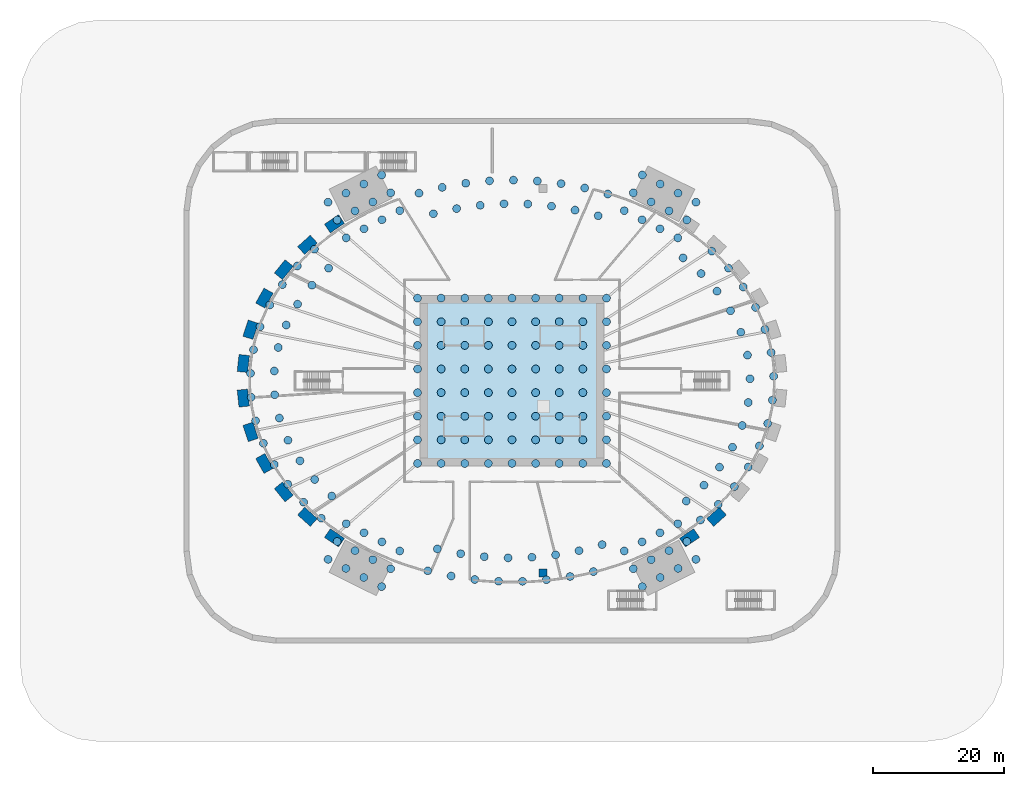
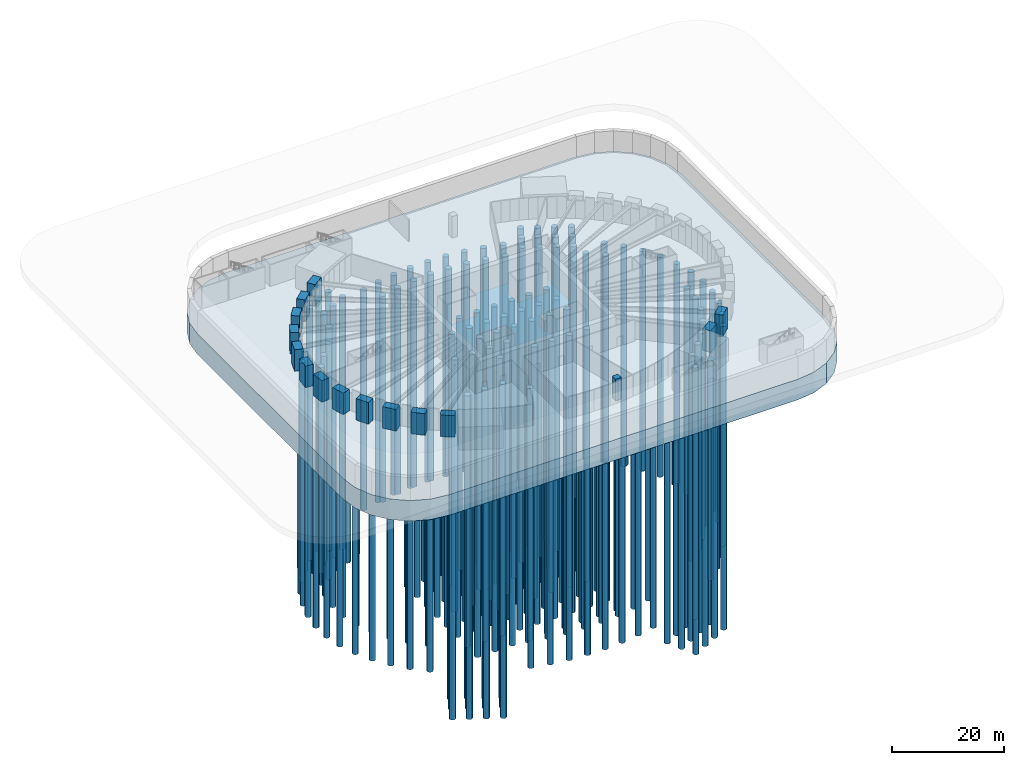
# One storey, part 1 of 14: 206 piles, 15 columns, 1 footing.
"""IFC4 building model written with IfcOpenShell, lengths in metres."""

import ifcopenshell
import ifcopenshell.guid

model = None  # the IFC model being written
_history = None  # IfcOwnerHistory: only IFC2X3 demands one
_inside = {}  # id of a spatial element -> (the spatial element, [elements in it])
_under = {}  # id of a project, library or spatial element -> (it, [spatial elements below it])
_declared = {}  # id of a project -> (the project, [libraries it declares])
_typed = {}  # id of a type object -> (the type object, [elements of that type])
_made_of = {}  # id of a material, layer set ... -> (it, [elements and type objects made of it])


def new_model(schema):
    """Start an empty IFC model of exactly this schema.

    Asked for "IFC4X3", IfcOpenShell would pick the latest addendum, in which some entities
    have other attributes; the version numbers below select the first issue.
    IFC2X3 requires an IfcOwnerHistory on every rooted entity: one is made here for all.
    """
    global model, _history
    if schema == "IFC4X3":
        model = ifcopenshell.file(schema_version=(4, 3, 0, 0))
    else:
        model = ifcopenshell.file(schema=schema)
    _inside.clear()
    _under.clear()
    _declared.clear()
    _typed.clear()
    _made_of.clear()
    _history = None
    if model.schema == "IFC2X3":
        org = make("IfcOrganization", Name="unknown")
        user = make(
            "IfcPersonAndOrganization",
            ThePerson=make("IfcPerson", FamilyName="unknown"),
            TheOrganization=org,
        )
        app = make(
            "IfcApplication",
            ApplicationDeveloper=org,
            Version="unknown",
            ApplicationFullName="unknown",
            ApplicationIdentifier="unknown",
        )
        _history = make(
            "IfcOwnerHistory",
            OwningUser=user,
            OwningApplication=app,
            ChangeAction="ADDED",
            CreationDate=0,
        )
    return model


def make(cls, **values):
    """One entity of the class cls with the attributes given. An attribute that is None is left unset."""
    return model.create_entity(
        cls, **{name: value for name, value in values.items() if value is not None}
    )


def rooted(cls, **values):
    """An entity with a GlobalId (a new one), such as an element, a storey or a relation."""
    return make(cls, GlobalId=ifcopenshell.guid.new(), OwnerHistory=_history, **values)


def si_unit(unit_type, name, prefix=None):
    """IfcSIUnit, for example si_unit("LENGTHUNIT", "METRE", prefix="MILLI")."""
    return make("IfcSIUnit", UnitType=unit_type, Prefix=prefix, Name=name)


def assignment(units):
    """IfcUnitAssignment: the units of a project."""
    return None if units is None else make("IfcUnitAssignment", Units=units)


def point(xyz):
    """IfcCartesianPoint."""
    return None if xyz is None else make("IfcCartesianPoint", Coordinates=xyz)


def direction(xyz):
    """IfcDirection."""
    return None if xyz is None else make("IfcDirection", DirectionRatios=xyz)


def frame(location, z_axis=None, x_axis=None):
    """IfcAxis2Placement3D, a coordinate frame: its origin and axes. An axis left out is left unset."""
    return make(
        "IfcAxis2Placement3D",
        Location=point(location),
        Axis=direction(z_axis),
        RefDirection=direction(x_axis),
    )


def frame_2d(location, x_axis=None):
    """IfcAxis2Placement2D, a coordinate frame in the plane: its origin and x axis."""
    return make(
        "IfcAxis2Placement2D", Location=point(location), RefDirection=direction(x_axis)
    )


def origin():
    """The frame at (0, 0, 0) with its axes left unset."""
    return frame((0.0, 0.0, 0.0))


def origin_2d():
    """The frame at (0, 0) in the plane with its x axis left unset."""
    return frame_2d((0.0, 0.0))


def place(relative_to, where):
    """IfcLocalPlacement: puts the frame where relative to a parent placement (None: the world)."""
    return make(
        "IfcLocalPlacement", PlacementRelTo=relative_to, RelativePlacement=where
    )


def context(
    kind, dimensions, precision=None, world=None, true_north=None, identifier=None
):
    """IfcGeometricRepresentationContext, for example the 3D "Model" context."""
    return make(
        "IfcGeometricRepresentationContext",
        ContextIdentifier=identifier,
        ContextType=kind,
        CoordinateSpaceDimension=dimensions,
        Precision=precision,
        WorldCoordinateSystem=world,
        TrueNorth=true_north,
    )


def subcontext(parent, identifier, kind, view, scale=None):
    """IfcGeometricRepresentationSubContext, for example "Body" below "Model"."""
    return make(
        "IfcGeometricRepresentationSubContext",
        ContextIdentifier=identifier,
        ContextType=kind,
        ParentContext=parent,
        TargetScale=scale,
        TargetView=view,
    )


def project(units=None, contexts=None):
    """IfcProject with its units and contexts."""
    return rooted(
        "IfcProject",
        Name="project",
        RepresentationContexts=contexts,
        UnitsInContext=assignment(units),
    )


def spatial(cls, under=None, at=None, **own):
    """A site, building, storey or space (cls), placed at a placement, below another one or the project."""
    s = rooted(cls, ObjectPlacement=at, **own)
    if under is not None:
        _under.setdefault(under.id(), (under, []))[1].append(s)
    return s


def polyline(points):
    """IfcPolyline through the points."""
    return make("IfcPolyline", Points=[point(p) for p in points])


def profile(cls, at=None, kind="AREA", **sizes):
    """A parametric profile (cls). Its sizes go by their IFC names, for example OverallWidth=200.0."""
    return make(cls, ProfileType=kind, Position=at, **sizes)


def rectangle(**sizes):
    """IfcRectangleProfileDef."""
    return profile("IfcRectangleProfileDef", **sizes)


def circle(**sizes):
    """IfcCircleProfileDef."""
    return profile("IfcCircleProfileDef", **sizes)


def outline(outer, holes=None, kind="AREA"):
    """IfcArbitraryClosedProfileDef: a profile drawn as a closed curve; with holes, ...WithVoids."""
    if holes is None:
        return make("IfcArbitraryClosedProfileDef", ProfileType=kind, OuterCurve=outer)
    return make(
        "IfcArbitraryProfileDefWithVoids",
        ProfileType=kind,
        OuterCurve=outer,
        InnerCurves=holes,
    )


def extrude(swept, where, along, depth):
    """IfcExtrudedAreaSolid: the profile swept, set in the frame where, extruded along a direction by depth."""
    return make(
        "IfcExtrudedAreaSolid",
        SweptArea=swept,
        Position=where,
        ExtrudedDirection=direction(along),
        Depth=depth,
    )


def shape(context_of_items, identifier, shape_type, items):
    """IfcShapeRepresentation: the items that make up one representation, for example the "Body"."""
    return make(
        "IfcShapeRepresentation",
        ContextOfItems=context_of_items,
        RepresentationIdentifier=identifier,
        RepresentationType=shape_type,
        Items=items,
    )


def source(mapping_origin, context_of_items, identifier, shape_type, items):
    """IfcRepresentationMap: a shape defined once, which mapped items show again and again."""
    return make(
        "IfcRepresentationMap",
        MappingOrigin=mapping_origin,
        MappedRepresentation=shape(context_of_items, identifier, shape_type, items),
    )


def transform(
    local_origin,
    x_axis=None,
    y_axis=None,
    z_axis=None,
    scale=None,
    scale2=None,
    scale3=None,
    uniform=True,
):
    """IfcCartesianTransformationOperator3D, or its non-uniform kind. x_axis, y_axis, z_axis: its Axis1, 2, 3."""
    if uniform:
        return make(
            "IfcCartesianTransformationOperator3D",
            Axis1=direction(x_axis),
            Axis2=direction(y_axis),
            LocalOrigin=point(local_origin),
            Scale=scale,
            Axis3=direction(z_axis),
        )
    return make(
        "IfcCartesianTransformationOperator3DnonUniform",
        Axis1=direction(x_axis),
        Axis2=direction(y_axis),
        LocalOrigin=point(local_origin),
        Scale=scale,
        Axis3=direction(z_axis),
        Scale2=scale2,
        Scale3=scale3,
    )


def mapped(mapping_source, mapping_target):
    """IfcMappedItem: shows the shape of a source again, moved by a transform."""
    return make(
        "IfcMappedItem", MappingSource=mapping_source, MappingTarget=mapping_target
    )


def material(Name=None, Category=None):
    """IfcMaterial."""
    return make("IfcMaterial", Name=Name, Category=Category)


def layer(
    of_material, thickness, ventilated=None, Name=None, Category=None, Priority=None
):
    """IfcMaterialLayer: one layer of a wall or slab, of a material (None: an air gap)."""
    return make(
        "IfcMaterialLayer",
        Material=of_material,
        LayerThickness=thickness,
        IsVentilated=ventilated,
        Name=Name,
        Category=Category,
        Priority=Priority,
    )


def layer_set(layers, Name=None):
    """IfcMaterialLayerSet."""
    return make("IfcMaterialLayerSet", MaterialLayers=layers, LayerSetName=Name)


def material_profile(
    of_material, cross_section, Name=None, Category=None, Priority=None
):
    """IfcMaterialProfile: a cross section and its material."""
    return make(
        "IfcMaterialProfile",
        Name=Name,
        Material=of_material,
        Profile=cross_section,
        Priority=Priority,
        Category=Category,
    )


def profile_set(profiles, Name=None, composite=None):
    """IfcMaterialProfileSet."""
    return make(
        "IfcMaterialProfileSet",
        Name=Name,
        MaterialProfiles=profiles,
        CompositeProfile=composite,
    )


def made_of(thing, what):
    """Note that an element or type object is made of a material, layer set ...; save() writes the relation."""
    if what is not None:
        _made_of.setdefault(what.id(), (what, []))[1].append(thing)
    return thing


def type_object(cls, material=None, **own):
    """A type object (cls), such as IfcWallType, which elements share."""
    return made_of(rooted(cls, **own), material)


def element(
    cls,
    number,
    at=None,
    inside=None,
    cuts=None,
    type_object=None,
    material=None,
    context=None,
    identifier="Body",
    shape_type=None,
    held_by="IfcProductDefinitionShape",
    body=None,
    shapes=None,
    **own,
):
    """One element of the class cls, such as IfcWall. Its Tag is "e" and its number.

    at: its placement. inside: the storey or other place that contains it. cuts: it is an
    opening in that element (IfcRelVoidsElement). A single representation is given by context,
    identifier, shape_type and body (its items); several are given by shapes. held_by: the class
    of the entity that holds the representations. save() writes the other relations.
    """
    e = rooted(cls, Tag="e%d" % number, ObjectPlacement=at, **own)
    if body is not None:
        shapes = [shape(context, identifier, shape_type, body)]
    if shapes is not None:
        e.Representation = make(held_by, Representations=shapes)
    if inside is not None:
        _inside.setdefault(inside.id(), (inside, []))[1].append(e)
    if cuts is not None:
        rooted(
            "IfcRelVoidsElement", RelatingBuildingElement=cuts, RelatedOpeningElement=e
        )
    if type_object is not None:
        _typed.setdefault(type_object.id(), (type_object, []))[1].append(e)
    return made_of(e, material)


def aggregate(whole, parts):
    """IfcRelAggregates: a whole, such as a stair, and the parts it consists of."""
    return rooted("IfcRelAggregates", RelatingObject=whole, RelatedObjects=parts)


def save(model, path):
    """Write the relations noted so far, then the file.

    IfcRelAggregates (storeys below a building ...), IfcRelContainedInSpatialStructure (elements
    in a storey), IfcRelDefinesByType, IfcRelAssociatesMaterial and IfcRelDeclares: one each for
    every whole, place, type object, material and project.
    """
    for whole, parts in _under.values():
        aggregate(whole, parts)
    for where, things in _inside.values():
        rooted(
            "IfcRelContainedInSpatialStructure",
            RelatedElements=things,
            RelatingStructure=where,
        )
    for kind, things in _typed.values():
        rooted("IfcRelDefinesByType", RelatedObjects=things, RelatingType=kind)
    for what, things in _made_of.values():
        rooted("IfcRelAssociatesMaterial", RelatedObjects=things, RelatingMaterial=what)
    for by, libraries in _declared.values():
        rooted("IfcRelDeclares", RelatingContext=by, RelatedDefinitions=libraries)
    model.write(path)


model = new_model("IFC4")

# Units and contexts
model_context = context("Model", 3, precision=1e-05, world=origin(), true_north=direction((0.0, 1.0)))
body_context = subcontext(model_context, "Body", "Model", "MODEL_VIEW")
ifc_project = project(units=[si_unit("LENGTHUNIT", "METRE"), si_unit("AREAUNIT", "SQUARE_METRE"), si_unit("VOLUMEUNIT", "CUBIC_METRE"), si_unit("PLANEANGLEUNIT", "RADIAN"), si_unit("MASSUNIT", "GRAM", prefix="KILO")], contexts=[model_context])

# Site, building, storey
site_placement = place(None, origin())
site = spatial("IfcSite", under=ifc_project, at=site_placement, CompositionType="ELEMENT")
building_placement = place(site_placement, origin())
building = spatial("IfcBuilding", under=site, at=building_placement, Name="Embergate Tower", CompositionType="ELEMENT")
storey_placement = place(building_placement, frame((0.0, 0.0, -10.0)))
storey = spatial("IfcBuildingStorey", under=building, at=storey_placement, Name="B2", CompositionType="ELEMENT", Elevation=-10.0)

# Footing
ifc_material_1 = material(Name="Concrete C50P10", Category="concrete")
ifc_layer = layer(ifc_material_1, 4.5)
ifc_layer_set = layer_set([ifc_layer], Name="Concrete C50 P10")
footing_type = type_object("IfcFootingType", Name="Raft foundation C50P10", PredefinedType="PAD_FOOTING", material=ifc_layer_set)
shared_shape_1 = source(origin(), body_context, "Body", "SweptSolid", [
    extrude(outline(polyline([(0.0, 0.0), (72.0, 0.0), (75.623046875, 0.47705078125), (79.0, 1.8759765625), (81.89892578125, 4.10107421875), (84.1240234375, 7.0), (85.52294921875, 10.376953125), (86.0, 14.0), (86.0, 66.0), (85.52294921875, 69.623046875), (84.1240234375, 73.0), (81.89892578125, 75.89892578125), (79.0, 78.1240234375), (75.623046875, 79.52294921875), (72.0, 80.0), (0.0, 80.0), (-3.623046875, 79.52294921875), (-7.0, 78.1240234375), (-9.89892578125, 75.89892578125), (-12.1240234375, 73.0), (-13.52294921875, 69.623046875), (-14.0, 66.0), (-14.0, 14.0), (-13.52294921875, 10.376953125), (-12.1240234375, 7.0), (-9.89892578125, 4.10107421875), (-7.0, 1.8759765625), (-3.623046875, 0.47705078125), (0.0, 0.0)])), origin(), (0.0, 0.0, 1.0), 4.5),
])
footing_placement = place(storey_placement, frame((-36.0, -40.0, -4.800048828125)))
element("IfcFooting", 1, at=footing_placement, inside=storey, type_object=footing_type, Name="RAFT-B2-00", PredefinedType="PAD_FOOTING", context=body_context, shape_type="MappedRepresentation", body=[
    mapped(shared_shape_1, transform((0.0, 0.0, 0.0))),
])

# Piles
ifc_material_2 = material(Name="Concrete C40", Category="concrete")
ifc_material_profile_1 = material_profile(ifc_material_2, circle(Radius=0.60009765625, at=origin_2d()), Name="D1200")
ifc_profile_set_1 = profile_set([ifc_material_profile_1], Name="Concrete C40")
pile_type = type_object("IfcPileType", Name="Bored pile D1200 post-grouted", PredefinedType="BORED", material=ifc_profile_set_1)
shared_shape_2 = source(origin(), body_context, "Body", "SweptSolid", [
    extrude(circle(Radius=0.60009765625, at=origin_2d()), origin(), (0.0, 0.0, 1.0), 48.0),
])
for number, where, z_axis, x_axis, name in (
    (2, (-39.761962890625, -2.510009765625, -4.699951171875), (0.0, 0.0, -1.0), (1.0, 0.0, 0.0), "PIL-B2-000"),
    (3, (-39.090087890625, -6.089111328125, -4.699951171875), (0.0, 0.0, -1.0), (1.0, 0.0, 0.0), "PIL-B2-001"),
    (4, (-37.89794921875, -9.531005859375, -4.699951171875), (0.0, 0.0, -1.0), (1.0, 0.0, 0.0), "PIL-B2-002"),
    (5, (-36.239013671875, -12.77294921875, -4.699951171875), (0.0, 0.0, -1.0), (1.0, 0.0, 0.0), "PIL-B2-003"),
    (6, (-34.172119140625, -15.77294921875, -4.699951171875), (0.0, 0.0, -1.0), (1.0, 0.0, 0.0), "PIL-B2-004"),
    (7, (-31.762939453125, -18.506103515625, -4.699951171875), (0.0, 0.0, -1.0), (1.0, 0.0, 0.0), "PIL-B2-005"),
    (8, (-29.06494140625, -20.9560546875, -4.699951171875), (0.0, 0.0, -1.0), (1.0, 0.0, 0.0), "PIL-B2-006"),
    (9, (-12.843017578125, -28.965087890625, -4.699951171875), (0.0, 0.0, -1.0), (1.0, 0.0, 0.0), "PIL-B2-007"),
    (10, (-9.284912109375, -29.759033203125, -4.699951171875), (0.0, 0.0, -1.0), (1.0, 0.0, 0.0), "PIL-B2-008"),
    (11, (-5.677978515625, -30.283935546875, -4.699951171875), (0.0, 0.0, -1.0), (1.0, 0.0, 0.0), "PIL-B2-009"),
    (12, (-2.04296875, -30.553955078125, -4.699951171875), (0.0, 0.0, -1.0), (1.0, 0.0, 0.0), "PIL-B2-010"),
    (13, (1.60205078125, -30.568115234375, -4.699951171875), (0.0, 0.0, -1.0), (1.0, 0.0, 0.0), "PIL-B2-011"),
    (14, (5.239013671875, -30.326904296875, -4.699951171875), (0.0, 0.0, -1.0), (1.0, 0.0, 0.0), "PIL-B2-012"),
    (15, (8.85009765625, -29.83203125, -4.699951171875), (0.0, 0.0, -1.0), (1.0, 0.0, 0.0), "PIL-B2-013"),
    (16, (12.416015625, -29.076904296875, -4.699951171875), (0.0, 0.0, -1.0), (1.0, 0.0, 0.0), "PIL-B2-014"),
    (17, (28.717041015625, -21.22802734375, -4.699951171875), (0.0, 0.0, -1.0), (1.0, 0.0, 0.0), "PIL-B2-015"),
    (18, (31.449951171875, -18.81689453125, -4.699951171875), (0.0, 0.0, -1.0), (1.0, 0.0, 0.0), "PIL-B2-016"),
    (19, (33.904052734375, -16.123046875, -4.699951171875), (0.0, 0.0, -1.0), (1.0, 0.0, 0.0), "PIL-B2-017"),
    (20, (36.011962890625, -13.152099609375, -4.699951171875), (0.0, 0.0, -1.0), (1.0, 0.0, 0.0), "PIL-B2-018"),
    (21, (37.720947265625, -9.93505859375, -4.699951171875), (0.0, 0.0, -1.0), (1.0, 0.0, 0.0), "PIL-B2-019"),
    (22, (38.967041015625, -6.512939453125, -4.699951171875), (0.0, 0.0, -1.0), (1.0, 0.0, 0.0), "PIL-B2-020"),
    (23, (39.699951171875, -2.946044921875, -4.699951171875), (0.0, 0.0, -1.0), (1.0, 0.0, 0.0), "PIL-B2-021"),
    (24, (39.882080078125, 0.69091796875, -4.699951171875), (0.0, 0.0, -1.0), (1.0, 0.0, 0.0), "PIL-B2-022"),
    (25, (39.493896484375, 4.31201171875, -4.699951171875), (0.0, 0.0, -1.0), (1.0, 0.0, 0.0), "PIL-B2-023"),
    (26, (38.555908203125, 7.83203125, -4.699951171875), (0.0, 0.0, -1.0), (1.0, 0.0, 0.0), "PIL-B2-024"),
    (27, (37.123046875, 11.179931640625, -4.699951171875), (0.0, 0.0, -1.0), (1.0, 0.0, 0.0), "PIL-B2-025"),
    (28, (35.251953125, 14.304931640625, -4.699951171875), (0.0, 0.0, -1.0), (1.0, 0.0, 0.0), "PIL-B2-026"),
    (29, (33.007080078125, 17.174072265625, -4.699951171875), (0.0, 0.0, -1.0), (1.0, 0.0, 0.0), "PIL-B2-027"),
    (30, (30.447021484375, 19.76708984375, -4.699951171875), (0.0, 0.0, -1.0), (1.0, 0.0, 0.0), "PIL-B2-028"),
    (31, (14.596923828125, 28.470947265625, -4.699951171875), (0.0, 0.0, -1.0), (1.0, 0.0, 0.0), "PIL-B2-029"),
    (32, (11.071044921875, 29.39501953125, -4.699951171875), (0.0, 0.0, -1.0), (1.0, 0.0, 0.0), "PIL-B2-030"),
    (33, (7.486083984375, 30.053955078125, -4.699951171875), (0.0, 0.0, -1.0), (1.0, 0.0, 0.0), "PIL-B2-031"),
    (34, (3.863037109375, 30.450927734375, -4.699951171875), (0.0, 0.0, -1.0), (1.0, 0.0, 0.0), "PIL-B2-032"),
    (35, (0.220947265625, 30.593017578125, -4.699951171875), (0.0, 0.0, -1.0), (1.0, 0.0, 0.0), "PIL-B2-033"),
    (36, (-3.423095703125, 30.47998046875, -4.699951171875), (0.0, 0.0, -1.0), (1.0, 0.0, 0.0), "PIL-B2-034"),
    (37, (-7.049072265625, 30.111083984375, -4.699951171875), (0.0, 0.0, -1.0), (1.0, 0.0, 0.0), "PIL-B2-035"),
    (38, (-10.639892578125, 29.487060546875, -4.699951171875), (0.0, 0.0, -1.0), (1.0, 0.0, 0.0), "PIL-B2-036"),
    (39, (-14.176025390625, 28.60205078125, -4.699951171875), (0.0, 0.0, -1.0), (1.0, 0.0, 0.0), "PIL-B2-037"),
    (40, (-30.114990234375, 20.05810546875, -4.699951171875), (0.0, 0.0, -1.0), (1.0, 0.0, 0.0), "PIL-B2-038"),
    (41, (-32.717041015625, 17.506103515625, -4.699951171875), (0.0, 0.0, -1.0), (1.0, 0.0, 0.0), "PIL-B2-039"),
    (42, (-35.00390625, 14.669921875, -4.699951171875), (0.0, 0.0, -1.0), (1.0, 0.0, 0.0), "PIL-B2-040"),
    (43, (-36.919921875, 11.572021484375, -4.699951171875), (0.0, 0.0, -1.0), (1.0, 0.0, 0.0), "PIL-B2-041"),
    (44, (-38.406005859375, 8.2470703125, -4.699951171875), (0.0, 0.0, -1.0), (1.0, 0.0, 0.0), "PIL-B2-042"),
    (45, (-39.40087890625, 4.743896484375, -4.699951171875), (0.0, 0.0, -1.0), (1.0, 0.0, 0.0), "PIL-B2-043"),
    (46, (-39.861083984375, 1.131103515625, -4.699951171875), (0.0, 0.0, -1.0), (1.0, 0.0, 0.0), "PIL-B2-044"),
):
    element("IfcPile", number, at=place(storey_placement, frame(where, z_axis=z_axis, x_axis=x_axis)), inside=storey, type_object=pile_type, Name=name, PredefinedType="BORED", context=body_context, shape_type="MappedRepresentation", body=[
        mapped(shared_shape_2, transform((0.0, 0.0, 0.0))),
    ])
shared_shape_3 = source(origin(), body_context, "Body", "SweptSolid", [
    extrude(circle(Radius=0.60009765625, at=origin_2d()), origin(), (0.0, 0.0, 1.0), 45.0),
])
for number, where, z_axis, x_axis, name in (
    (47, (-36.179931640625, -2.1259765625, -4.699951171875), (0.0, 0.0, -1.0), (1.0, 0.0, 0.0), "PIL-B2-045"),
    (48, (-35.4609375, -5.680908203125, -4.699951171875), (0.0, 0.0, -1.0), (1.0, 0.0, 0.0), "PIL-B2-046"),
    (49, (-34.160888671875, -9.068115234375, -4.699951171875), (0.0, 0.0, -1.0), (1.0, 0.0, 0.0), "PIL-B2-047"),
    (50, (-32.330078125, -12.199951171875, -4.699951171875), (0.0, 0.0, -1.0), (1.0, 0.0, 0.0), "PIL-B2-048"),
    (51, (-30.0830078125, -15.051025390625, -4.699951171875), (0.0, 0.0, -1.0), (1.0, 0.0, 0.0), "PIL-B2-049"),
    (52, (-27.47802734375, -17.577880859375, -4.699951171875), (0.0, 0.0, -1.0), (1.0, 0.0, 0.0), "PIL-B2-050"),
    (53, (-11.3798828125, -25.6220703125, -4.699951171875), (0.0, 0.0, -1.0), (1.0, 0.0, 0.0), "PIL-B2-051"),
    (54, (-7.822998046875, -26.35205078125, -4.699951171875), (0.0, 0.0, -1.0), (1.0, 0.0, 0.0), "PIL-B2-052"),
    (55, (-4.220947265625, -26.81005859375, -4.699951171875), (0.0, 0.0, -1.0), (1.0, 0.0, 0.0), "PIL-B2-053"),
    (56, (-0.593994140625, -26.992919921875, -4.699951171875), (0.0, 0.0, -1.0), (1.0, 0.0, 0.0), "PIL-B2-054"),
    (57, (3.035888671875, -26.89697265625, -4.699951171875), (0.0, 0.0, -1.0), (1.0, 0.0, 0.0), "PIL-B2-055"),
    (58, (6.64892578125, -26.532958984375, -4.699951171875), (0.0, 0.0, -1.0), (1.0, 0.0, 0.0), "PIL-B2-056"),
    (59, (10.22412109375, -25.89599609375, -4.699951171875), (0.0, 0.0, -1.0), (1.0, 0.0, 0.0), "PIL-B2-057"),
    (60, (13.735107421875, -24.968994140625, -4.699951171875), (0.0, 0.0, -1.0), (1.0, 0.0, 0.0), "PIL-B2-058"),
    (61, (26.56591796875, -18.340087890625, -4.699951171875), (0.0, 0.0, -1.0), (1.0, 0.0, 0.0), "PIL-B2-059"),
    (62, (29.262939453125, -15.910888671875, -4.699951171875), (0.0, 0.0, -1.0), (1.0, 0.0, 0.0), "PIL-B2-060"),
    (63, (31.635986328125, -13.1650390625, -4.699951171875), (0.0, 0.0, -1.0), (1.0, 0.0, 0.0), "PIL-B2-061"),
    (64, (33.615966796875, -10.1240234375, -4.699951171875), (0.0, 0.0, -1.0), (1.0, 0.0, 0.0), "PIL-B2-062"),
    (65, (35.096923828125, -6.81201171875, -4.699951171875), (0.0, 0.0, -1.0), (1.0, 0.0, 0.0), "PIL-B2-063"),
    (66, (36.012939453125, -3.302978515625, -4.699951171875), (0.0, 0.0, -1.0), (1.0, 0.0, 0.0), "PIL-B2-064"),
    (67, (36.281982421875, 0.31396484375, -4.699951171875), (0.0, 0.0, -1.0), (1.0, 0.0, 0.0), "PIL-B2-065"),
    (68, (35.89599609375, 3.9189453125, -4.699951171875), (0.0, 0.0, -1.0), (1.0, 0.0, 0.0), "PIL-B2-066"),
    (69, (34.883056640625, 7.402099609375, -4.699951171875), (0.0, 0.0, -1.0), (1.0, 0.0, 0.0), "PIL-B2-067"),
    (70, (33.302978515625, 10.66796875, -4.699951171875), (0.0, 0.0, -1.0), (1.0, 0.0, 0.0), "PIL-B2-068"),
    (71, (31.25390625, 13.6630859375, -4.699951171875), (0.0, 0.0, -1.0), (1.0, 0.0, 0.0), "PIL-B2-069"),
    (72, (28.81689453125, 16.35205078125, -4.699951171875), (0.0, 0.0, -1.0), (1.0, 0.0, 0.0), "PIL-B2-070"),
    (73, (26.071044921875, 18.72607421875, -4.699951171875), (0.0, 0.0, -1.0), (1.0, 0.0, 0.0), "PIL-B2-071"),
    (74, (13.135009765625, 25.154052734375, -4.699951171875), (0.0, 0.0, -1.0), (1.0, 0.0, 0.0), "PIL-B2-072"),
    (75, (9.60888671875, 26.02197265625, -4.699951171875), (0.0, 0.0, -1.0), (1.0, 0.0, 0.0), "PIL-B2-073"),
    (76, (6.027099609375, 26.614990234375, -4.699951171875), (0.0, 0.0, -1.0), (1.0, 0.0, 0.0), "PIL-B2-074"),
    (77, (2.409912109375, 26.93798828125, -4.699951171875), (0.0, 0.0, -1.0), (1.0, 0.0, 0.0), "PIL-B2-075"),
    (78, (-1.221923828125, 26.97900390625, -4.699951171875), (0.0, 0.0, -1.0), (1.0, 0.0, 0.0), "PIL-B2-076"),
    (79, (-4.845947265625, 26.7490234375, -4.699951171875), (0.0, 0.0, -1.0), (1.0, 0.0, 0.0), "PIL-B2-077"),
    (80, (-8.44189453125, 26.25, -4.699951171875), (0.0, 0.0, -1.0), (1.0, 0.0, 0.0), "PIL-B2-078"),
    (81, (-11.988037109375, 25.467041015625, -4.699951171875), (0.0, 0.0, -1.0), (1.0, 0.0, 0.0), "PIL-B2-079"),
    (82, (-27.9541015625, 17.1689453125, -4.699951171875), (0.0, 0.0, -1.0), (1.0, 0.0, 0.0), "PIL-B2-080"),
    (83, (-30.492919921875, 14.575927734375, -4.699951171875), (0.0, 0.0, -1.0), (1.0, 0.0, 0.0), "PIL-B2-081"),
    (84, (-32.68310546875, 11.681884765625, -4.699951171875), (0.0, 0.0, -1.0), (1.0, 0.0, 0.0), "PIL-B2-082"),
    (85, (-34.419921875, 8.4970703125, -4.699951171875), (0.0, 0.0, -1.0), (1.0, 0.0, 0.0), "PIL-B2-083"),
    (86, (-35.635009765625, 5.077880859375, -4.699951171875), (0.0, 0.0, -1.0), (1.0, 0.0, 0.0), "PIL-B2-084"),
    (87, (-36.22509765625, 1.5, -4.699951171875), (0.0, 0.0, -1.0), (1.0, 0.0, 0.0), "PIL-B2-085"),
):
    element("IfcPile", number, at=place(storey_placement, frame(where, z_axis=z_axis, x_axis=x_axis)), inside=storey, type_object=pile_type, Name=name, PredefinedType="BORED", context=body_context, shape_type="MappedRepresentation", body=[
        mapped(shared_shape_3, transform((0.0, 0.0, 0.0))),
    ])
shared_shape_4 = source(origin(), body_context, "Body", "SweptSolid", [
    extrude(circle(Radius=0.60009765625, at=origin_2d()), origin(), (0.0, 0.0, 1.0), 55.0),
])
for number, where, z_axis, x_axis, name in (
    (88, (-14.39990234375, -12.60009765625, -4.699951171875), (0.0, 0.0, -1.0), (1.0, 0.0, 0.0), "PIL-B2-086"),
    (89, (-14.39990234375, -9.0, -4.699951171875), (0.0, 0.0, -1.0), (1.0, 0.0, 0.0), "PIL-B2-087"),
    (90, (-14.39990234375, -5.39990234375, -4.699951171875), (0.0, 0.0, -1.0), (1.0, 0.0, 0.0), "PIL-B2-088"),
    (91, (-14.39990234375, -1.800048828125, -4.699951171875), (0.0, 0.0, -1.0), (1.0, 0.0, 0.0), "PIL-B2-089"),
    (92, (-14.39990234375, 1.800048828125, -4.699951171875), (0.0, 0.0, -1.0), (1.0, 0.0, 0.0), "PIL-B2-090"),
    (93, (-14.39990234375, 5.39990234375, -4.699951171875), (0.0, 0.0, -1.0), (1.0, 0.0, 0.0), "PIL-B2-091"),
    (94, (-14.39990234375, 9.0, -4.699951171875), (0.0, 0.0, -1.0), (1.0, 0.0, 0.0), "PIL-B2-092"),
    (95, (-14.39990234375, 12.60009765625, -4.699951171875), (0.0, 0.0, -1.0), (1.0, 0.0, 0.0), "PIL-B2-093"),
    (96, (-10.800048828125, -12.60009765625, -4.699951171875), (0.0, 0.0, -1.0), (1.0, 0.0, 0.0), "PIL-B2-094"),
    (97, (-10.800048828125, -9.0, -4.699951171875), (0.0, 0.0, -1.0), (1.0, 0.0, 0.0), "PIL-B2-095"),
    (98, (-10.800048828125, -5.39990234375, -4.699951171875), (0.0, 0.0, -1.0), (1.0, 0.0, 0.0), "PIL-B2-096"),
    (99, (-10.800048828125, -1.800048828125, -4.699951171875), (0.0, 0.0, -1.0), (1.0, 0.0, 0.0), "PIL-B2-097"),
    (100, (-10.800048828125, 1.800048828125, -4.699951171875), (0.0, 0.0, -1.0), (1.0, 0.0, 0.0), "PIL-B2-098"),
    (101, (-10.800048828125, 5.39990234375, -4.699951171875), (0.0, 0.0, -1.0), (1.0, 0.0, 0.0), "PIL-B2-099"),
    (102, (-10.800048828125, 9.0, -4.699951171875), (0.0, 0.0, -1.0), (1.0, 0.0, 0.0), "PIL-B2-100"),
    (103, (-10.800048828125, 12.60009765625, -4.699951171875), (0.0, 0.0, -1.0), (1.0, 0.0, 0.0), "PIL-B2-101"),
    (104, (-7.199951171875, -12.60009765625, -4.699951171875), (0.0, 0.0, -1.0), (1.0, 0.0, 0.0), "PIL-B2-102"),
    (105, (-7.199951171875, -9.0, -4.699951171875), (0.0, 0.0, -1.0), (1.0, 0.0, 0.0), "PIL-B2-103"),
    (106, (-7.199951171875, -5.39990234375, -4.699951171875), (0.0, 0.0, -1.0), (1.0, 0.0, 0.0), "PIL-B2-104"),
    (107, (-7.199951171875, -1.800048828125, -4.699951171875), (0.0, 0.0, -1.0), (1.0, 0.0, 0.0), "PIL-B2-105"),
    (108, (-7.199951171875, 1.800048828125, -4.699951171875), (0.0, 0.0, -1.0), (1.0, 0.0, 0.0), "PIL-B2-106"),
    (109, (-7.199951171875, 5.39990234375, -4.699951171875), (0.0, 0.0, -1.0), (1.0, 0.0, 0.0), "PIL-B2-107"),
    (110, (-7.199951171875, 9.0, -4.699951171875), (0.0, 0.0, -1.0), (1.0, 0.0, 0.0), "PIL-B2-108"),
    (111, (-7.199951171875, 12.60009765625, -4.699951171875), (0.0, 0.0, -1.0), (1.0, 0.0, 0.0), "PIL-B2-109"),
    (112, (-3.60009765625, -12.60009765625, -4.699951171875), (0.0, 0.0, -1.0), (1.0, 0.0, 0.0), "PIL-B2-110"),
    (113, (-3.60009765625, -9.0, -4.699951171875), (0.0, 0.0, -1.0), (1.0, 0.0, 0.0), "PIL-B2-111"),
    (114, (-3.60009765625, -5.39990234375, -4.699951171875), (0.0, 0.0, -1.0), (1.0, 0.0, 0.0), "PIL-B2-112"),
    (115, (-3.60009765625, -1.800048828125, -4.699951171875), (0.0, 0.0, -1.0), (1.0, 0.0, 0.0), "PIL-B2-113"),
    (116, (-3.60009765625, 1.800048828125, -4.699951171875), (0.0, 0.0, -1.0), (1.0, 0.0, 0.0), "PIL-B2-114"),
    (117, (-3.60009765625, 5.39990234375, -4.699951171875), (0.0, 0.0, -1.0), (1.0, 0.0, 0.0), "PIL-B2-115"),
    (118, (-3.60009765625, 9.0, -4.699951171875), (0.0, 0.0, -1.0), (1.0, 0.0, 0.0), "PIL-B2-116"),
    (119, (-3.60009765625, 12.60009765625, -4.699951171875), (0.0, 0.0, -1.0), (1.0, 0.0, 0.0), "PIL-B2-117"),
    (120, (0.0, -12.60009765625, -4.699951171875), (0.0, 0.0, -1.0), (1.0, 0.0, 0.0), "PIL-B2-118"),
    (121, (0.0, -9.0, -4.699951171875), (0.0, 0.0, -1.0), (1.0, 0.0, 0.0), "PIL-B2-119"),
    (122, (0.0, -5.39990234375, -4.699951171875), (0.0, 0.0, -1.0), (1.0, 0.0, 0.0), "PIL-B2-120"),
    (123, (0.0, -1.800048828125, -4.699951171875), (0.0, 0.0, -1.0), (1.0, 0.0, 0.0), "PIL-B2-121"),
    (124, (0.0, 1.800048828125, -4.699951171875), (0.0, 0.0, -1.0), (1.0, 0.0, 0.0), "PIL-B2-122"),
    (125, (0.0, 5.39990234375, -4.699951171875), (0.0, 0.0, -1.0), (1.0, 0.0, 0.0), "PIL-B2-123"),
    (126, (0.0, 9.0, -4.699951171875), (0.0, 0.0, -1.0), (1.0, 0.0, 0.0), "PIL-B2-124"),
    (127, (0.0, 12.60009765625, -4.699951171875), (0.0, 0.0, -1.0), (1.0, 0.0, 0.0), "PIL-B2-125"),
    (128, (3.60009765625, -12.60009765625, -4.699951171875), (0.0, 0.0, -1.0), (1.0, 0.0, 0.0), "PIL-B2-126"),
    (129, (3.60009765625, -9.0, -4.699951171875), (0.0, 0.0, -1.0), (1.0, 0.0, 0.0), "PIL-B2-127"),
    (130, (3.60009765625, -5.39990234375, -4.699951171875), (0.0, 0.0, -1.0), (1.0, 0.0, 0.0), "PIL-B2-128"),
    (131, (3.60009765625, -1.800048828125, -4.699951171875), (0.0, 0.0, -1.0), (1.0, 0.0, 0.0), "PIL-B2-129"),
    (132, (3.60009765625, 1.800048828125, -4.699951171875), (0.0, 0.0, -1.0), (1.0, 0.0, 0.0), "PIL-B2-130"),
    (133, (3.60009765625, 5.39990234375, -4.699951171875), (0.0, 0.0, -1.0), (1.0, 0.0, 0.0), "PIL-B2-131"),
    (134, (3.60009765625, 9.0, -4.699951171875), (0.0, 0.0, -1.0), (1.0, 0.0, 0.0), "PIL-B2-132"),
    (135, (3.60009765625, 12.60009765625, -4.699951171875), (0.0, 0.0, -1.0), (1.0, 0.0, 0.0), "PIL-B2-133"),
    (136, (7.199951171875, -12.60009765625, -4.699951171875), (0.0, 0.0, -1.0), (1.0, 0.0, 0.0), "PIL-B2-134"),
    (137, (7.199951171875, -9.0, -4.699951171875), (0.0, 0.0, -1.0), (1.0, 0.0, 0.0), "PIL-B2-135"),
    (138, (7.199951171875, -5.39990234375, -4.699951171875), (0.0, 0.0, -1.0), (1.0, 0.0, 0.0), "PIL-B2-136"),
    (139, (7.199951171875, -1.800048828125, -4.699951171875), (0.0, 0.0, -1.0), (1.0, 0.0, 0.0), "PIL-B2-137"),
    (140, (7.199951171875, 1.800048828125, -4.699951171875), (0.0, 0.0, -1.0), (1.0, 0.0, 0.0), "PIL-B2-138"),
    (141, (7.199951171875, 5.39990234375, -4.699951171875), (0.0, 0.0, -1.0), (1.0, 0.0, 0.0), "PIL-B2-139"),
    (142, (7.199951171875, 9.0, -4.699951171875), (0.0, 0.0, -1.0), (1.0, 0.0, 0.0), "PIL-B2-140"),
    (143, (7.199951171875, 12.60009765625, -4.699951171875), (0.0, 0.0, -1.0), (1.0, 0.0, 0.0), "PIL-B2-141"),
    (144, (10.800048828125, -12.60009765625, -4.699951171875), (0.0, 0.0, -1.0), (1.0, 0.0, 0.0), "PIL-B2-142"),
    (145, (10.800048828125, -9.0, -4.699951171875), (0.0, 0.0, -1.0), (1.0, 0.0, 0.0), "PIL-B2-143"),
    (146, (10.800048828125, -5.39990234375, -4.699951171875), (0.0, 0.0, -1.0), (1.0, 0.0, 0.0), "PIL-B2-144"),
    (147, (10.800048828125, -1.800048828125, -4.699951171875), (0.0, 0.0, -1.0), (1.0, 0.0, 0.0), "PIL-B2-145"),
    (148, (10.800048828125, 1.800048828125, -4.699951171875), (0.0, 0.0, -1.0), (1.0, 0.0, 0.0), "PIL-B2-146"),
    (149, (10.800048828125, 5.39990234375, -4.699951171875), (0.0, 0.0, -1.0), (1.0, 0.0, 0.0), "PIL-B2-147"),
    (150, (10.800048828125, 9.0, -4.699951171875), (0.0, 0.0, -1.0), (1.0, 0.0, 0.0), "PIL-B2-148"),
    (151, (10.800048828125, 12.60009765625, -4.699951171875), (0.0, 0.0, -1.0), (1.0, 0.0, 0.0), "PIL-B2-149"),
    (152, (14.39990234375, -12.60009765625, -4.699951171875), (0.0, 0.0, -1.0), (1.0, 0.0, 0.0), "PIL-B2-150"),
    (153, (14.39990234375, -9.0, -4.699951171875), (0.0, 0.0, -1.0), (1.0, 0.0, 0.0), "PIL-B2-151"),
    (154, (14.39990234375, -5.39990234375, -4.699951171875), (0.0, 0.0, -1.0), (1.0, 0.0, 0.0), "PIL-B2-152"),
    (155, (14.39990234375, -1.800048828125, -4.699951171875), (0.0, 0.0, -1.0), (1.0, 0.0, 0.0), "PIL-B2-153"),
    (156, (14.39990234375, 1.800048828125, -4.699951171875), (0.0, 0.0, -1.0), (1.0, 0.0, 0.0), "PIL-B2-154"),
    (157, (14.39990234375, 5.39990234375, -4.699951171875), (0.0, 0.0, -1.0), (1.0, 0.0, 0.0), "PIL-B2-155"),
    (158, (14.39990234375, 9.0, -4.699951171875), (0.0, 0.0, -1.0), (1.0, 0.0, 0.0), "PIL-B2-156"),
    (159, (14.39990234375, 12.60009765625, -4.699951171875), (0.0, 0.0, -1.0), (1.0, 0.0, 0.0), "PIL-B2-157"),
    (160, (-28.034912109375, -27.22607421875, -4.699951171875), (0.0, 0.0, -1.0), (1.0, 0.0, 0.0), "PIL-B2-158"),
    (161, (-28.034912109375, 27.22607421875, -4.699951171875), (0.0, 0.0, -1.0), (1.0, 0.0, 0.0), "PIL-B2-159"),
    (162, (-26.653076171875, -24.507080078125, -4.699951171875), (0.0, 0.0, -1.0), (1.0, 0.0, 0.0), "PIL-B2-160"),
    (163, (-26.653076171875, 24.507080078125, -4.699951171875), (0.0, 0.0, -1.0), (1.0, 0.0, 0.0), "PIL-B2-161"),
    (164, (-25.31591796875, -28.60791015625, -4.699951171875), (0.0, 0.0, -1.0), (1.0, 0.0, 0.0), "PIL-B2-162"),
    (165, (-25.31591796875, 28.60791015625, -4.699951171875), (0.0, 0.0, -1.0), (1.0, 0.0, 0.0), "PIL-B2-163"),
    (166, (-25.27197265625, -21.7880859375, -4.699951171875), (0.0, 0.0, -1.0), (1.0, 0.0, 0.0), "PIL-B2-164"),
    (167, (-25.27197265625, 21.7880859375, -4.699951171875), (0.0, 0.0, -1.0), (1.0, 0.0, 0.0), "PIL-B2-165"),
    (168, (-23.93408203125, -25.888916015625, -4.699951171875), (0.0, 0.0, -1.0), (1.0, 0.0, 0.0), "PIL-B2-166"),
    (169, (-23.93408203125, 25.888916015625, -4.699951171875), (0.0, 0.0, -1.0), (1.0, 0.0, 0.0), "PIL-B2-167"),
    (170, (-22.596923828125, -29.989013671875, -4.699951171875), (0.0, 0.0, -1.0), (1.0, 0.0, 0.0), "PIL-B2-168"),
    (171, (-22.596923828125, 29.989013671875, -4.699951171875), (0.0, 0.0, -1.0), (1.0, 0.0, 0.0), "PIL-B2-169"),
    (172, (-22.552978515625, -23.1689453125, -4.699951171875), (0.0, 0.0, -1.0), (1.0, 0.0, 0.0), "PIL-B2-170"),
    (173, (-22.552978515625, 23.1689453125, -4.699951171875), (0.0, 0.0, -1.0), (1.0, 0.0, 0.0), "PIL-B2-171"),
    (174, (-21.215087890625, -27.27001953125, -4.699951171875), (0.0, 0.0, -1.0), (1.0, 0.0, 0.0), "PIL-B2-172"),
    (175, (-21.215087890625, 27.27001953125, -4.699951171875), (0.0, 0.0, -1.0), (1.0, 0.0, 0.0), "PIL-B2-173"),
    (176, (-19.8779296875, -31.37109375, -4.699951171875), (0.0, 0.0, -1.0), (1.0, 0.0, 0.0), "PIL-B2-174"),
    (177, (-19.8779296875, 31.37109375, -4.699951171875), (0.0, 0.0, -1.0), (1.0, 0.0, 0.0), "PIL-B2-175"),
    (178, (-19.8330078125, -24.551025390625, -4.699951171875), (0.0, 0.0, -1.0), (1.0, 0.0, 0.0), "PIL-B2-176"),
    (179, (-19.8330078125, 24.551025390625, -4.699951171875), (0.0, 0.0, -1.0), (1.0, 0.0, 0.0), "PIL-B2-177"),
    (180, (-18.49609375, -28.652099609375, -4.699951171875), (0.0, 0.0, -1.0), (1.0, 0.0, 0.0), "PIL-B2-178"),
    (181, (-18.49609375, 28.652099609375, -4.699951171875), (0.0, 0.0, -1.0), (1.0, 0.0, 0.0), "PIL-B2-179"),
    (182, (-17.114013671875, -25.93310546875, -4.699951171875), (0.0, 0.0, -1.0), (1.0, 0.0, 0.0), "PIL-B2-180"),
    (183, (-17.114013671875, 25.93310546875, -4.699951171875), (0.0, 0.0, -1.0), (1.0, 0.0, 0.0), "PIL-B2-181"),
    (184, (17.114013671875, -25.93310546875, -4.699951171875), (0.0, 0.0, -1.0), (1.0, 0.0, 0.0), "PIL-B2-182"),
    (185, (17.114013671875, 25.93310546875, -4.699951171875), (0.0, 0.0, -1.0), (1.0, 0.0, 0.0), "PIL-B2-183"),
    (186, (18.49609375, -28.652099609375, -4.699951171875), (0.0, 0.0, -1.0), (1.0, 0.0, 0.0), "PIL-B2-184"),
    (187, (18.49609375, 28.652099609375, -4.699951171875), (0.0, 0.0, -1.0), (1.0, 0.0, 0.0), "PIL-B2-185"),
    (188, (19.8330078125, -24.551025390625, -4.699951171875), (0.0, 0.0, -1.0), (1.0, 0.0, 0.0), "PIL-B2-186"),
    (189, (19.8330078125, 24.551025390625, -4.699951171875), (0.0, 0.0, -1.0), (1.0, 0.0, 0.0), "PIL-B2-187"),
    (190, (19.8779296875, -31.37109375, -4.699951171875), (0.0, 0.0, -1.0), (1.0, 0.0, 0.0), "PIL-B2-188"),
    (191, (19.8779296875, 31.37109375, -4.699951171875), (0.0, 0.0, -1.0), (1.0, 0.0, 0.0), "PIL-B2-189"),
    (192, (21.215087890625, -27.27001953125, -4.699951171875), (0.0, 0.0, -1.0), (1.0, 0.0, 0.0), "PIL-B2-190"),
    (193, (21.215087890625, 27.27001953125, -4.699951171875), (0.0, 0.0, -1.0), (1.0, 0.0, 0.0), "PIL-B2-191"),
    (194, (22.552978515625, -23.1689453125, -4.699951171875), (0.0, 0.0, -1.0), (1.0, 0.0, 0.0), "PIL-B2-192"),
    (195, (22.552978515625, 23.1689453125, -4.699951171875), (0.0, 0.0, -1.0), (1.0, 0.0, 0.0), "PIL-B2-193"),
    (196, (22.596923828125, -29.989013671875, -4.699951171875), (0.0, 0.0, -1.0), (1.0, 0.0, 0.0), "PIL-B2-194"),
    (197, (22.596923828125, 29.989013671875, -4.699951171875), (0.0, 0.0, -1.0), (1.0, 0.0, 0.0), "PIL-B2-195"),
    (198, (23.93408203125, -25.888916015625, -4.699951171875), (0.0, 0.0, -1.0), (1.0, 0.0, 0.0), "PIL-B2-196"),
    (199, (23.93408203125, 25.888916015625, -4.699951171875), (0.0, 0.0, -1.0), (1.0, 0.0, 0.0), "PIL-B2-197"),
    (200, (25.27197265625, -21.7880859375, -4.699951171875), (0.0, 0.0, -1.0), (1.0, 0.0, 0.0), "PIL-B2-198"),
    (201, (25.27197265625, 21.7880859375, -4.699951171875), (0.0, 0.0, -1.0), (1.0, 0.0, 0.0), "PIL-B2-199"),
    (202, (25.31591796875, -28.60791015625, -4.699951171875), (0.0, 0.0, -1.0), (1.0, 0.0, 0.0), "PIL-B2-200"),
    (203, (25.31591796875, 28.60791015625, -4.699951171875), (0.0, 0.0, -1.0), (1.0, 0.0, 0.0), "PIL-B2-201"),
    (204, (26.653076171875, -24.507080078125, -4.699951171875), (0.0, 0.0, -1.0), (1.0, 0.0, 0.0), "PIL-B2-202"),
    (205, (26.653076171875, 24.507080078125, -4.699951171875), (0.0, 0.0, -1.0), (1.0, 0.0, 0.0), "PIL-B2-203"),
    (206, (28.034912109375, -27.22607421875, -4.699951171875), (0.0, 0.0, -1.0), (1.0, 0.0, 0.0), "PIL-B2-204"),
    (207, (28.034912109375, 27.22607421875, -4.699951171875), (0.0, 0.0, -1.0), (1.0, 0.0, 0.0), "PIL-B2-205"),
):
    element("IfcPile", number, at=place(storey_placement, frame(where, z_axis=z_axis, x_axis=x_axis)), inside=storey, type_object=pile_type, Name=name, PredefinedType="BORED", context=body_context, shape_type="MappedRepresentation", body=[
        mapped(shared_shape_4, transform((0.0, 0.0, 0.0))),
    ])

# Columns
ifc_material_3 = material(Name="Concrete C70", Category="concrete")
ifc_material_profile_2 = material_profile(ifc_material_3, rectangle(XDim=1.60009765625, YDim=2.60009765625, at=origin_2d()), Name="RC 1600x2600")
ifc_profile_set_2 = profile_set([ifc_material_profile_2], Name="Concrete C70")
column_type_1 = type_object("IfcColumnType", Name="Ring column RC 1600x2600 C70", PredefinedType="COLUMN", material=ifc_profile_set_2)
shared_shape_5 = source(origin(), body_context, "Body", "SweptSolid", [
    extrude(rectangle(XDim=1.60009765625, YDim=2.60009765625, at=origin_2d()), origin(), (0.0, 0.0, 1.0), 4.699951171875),
])
for number, where, z_axis, x_axis, name in (
    (208, (-27.06494140625, 23.93896484375, 0.0), (0.0, 0.0, 1.0), (-0.560393279442, 0.828226643109, 0.0), "COL-B2-16"),
    (209, (-31.178955078125, 20.72802734375, 0.0), (0.0, 0.0, 1.0), (-0.669208424634, 0.74307475021, 0.0), "COL-B2-17"),
    (210, (-34.7890625, 16.94189453125, 0.0), (0.0, 0.0, 1.0), (-0.775925311702, 0.630824786022, 0.0), "COL-B2-18"),
    (211, (-37.738037109375, 12.60498046875, 0.0), (0.0, 0.0, 1.0), (-0.873491969053, 0.486838556403, 0.0), "COL-B2-19"),
    (212, (-39.85009765625, 7.7880859375, 0.0), (0.0, 0.0, 1.0), (-0.950754033697, 0.309946394413, 0.0), "COL-B2-20"),
    (213, (-40.958984375, 2.636962890625, 0.0), (0.0, 0.0, 1.0), (-0.99428589498, 0.106749983816, 0.0), "COL-B2-21"),
    (214, (-40.958984375, -2.636962890625, 0.0), (0.0, 0.0, 1.0), (-0.99428589498, -0.106749983816, 0.0), "COL-B2-22"),
    (215, (-39.85009765625, -7.7880859375, 0.0), (0.0, 0.0, 1.0), (-0.950754033697, -0.309946394413, 0.0), "COL-B2-23"),
    (216, (-37.738037109375, -12.60498046875, 0.0), (0.0, 0.0, 1.0), (-0.873491969053, -0.486838556403, 0.0), "COL-B2-24"),
    (217, (-34.7890625, -16.94189453125, 0.0), (0.0, 0.0, 1.0), (-0.775925311702, -0.630824786022, 0.0), "COL-B2-25"),
    (218, (-31.178955078125, -20.72802734375, 0.0), (0.0, 0.0, 1.0), (-0.669208424634, -0.74307475021, 0.0), "COL-B2-26"),
    (219, (-27.06494140625, -23.93896484375, 0.0), (0.0, 0.0, 1.0), (-0.560393279442, -0.828226643109, 0.0), "COL-B2-27"),
    (220, (27.06494140625, -23.93896484375, 0.0), (0.0, 0.0, 1.0), (0.560393279442, -0.828226643109, 0.0), "COL-B2-38"),
    (221, (31.178955078125, -20.72802734375, 0.0), (0.0, 0.0, 1.0), (0.669208424634, -0.74307475021, 0.0), "COL-B2-39"),
):
    element("IfcColumn", number, at=place(storey_placement, frame(where, z_axis=z_axis, x_axis=x_axis)), inside=storey, type_object=column_type_1, Name=name, PredefinedType="COLUMN", context=body_context, shape_type="MappedRepresentation", body=[
        mapped(shared_shape_5, transform((0.0, 0.0, 0.0))),
    ])
ifc_material_4 = material(Name="Concrete C60", Category="concrete")
ifc_material_profile_3 = material_profile(ifc_material_4, rectangle(XDim=1.199951171875, YDim=1.199951171875, at=origin_2d()), Name="RC 1200x1200")
ifc_profile_set_3 = profile_set([ifc_material_profile_3], Name="Concrete C60")
column_type_2 = type_object("IfcColumnType", Name="Basement column RC 1200x1200 C60", PredefinedType="COLUMN", material=ifc_profile_set_3)
shared_shape_6 = source(origin(), body_context, "Body", "SweptSolid", [
    extrude(rectangle(XDim=1.199951171875, YDim=1.199951171875, at=origin_2d()), origin(), (0.0, 0.0, 1.0), 4.699951171875),
])
column_placement = place(storey_placement, frame((4.75, -29.300048828125, 0.0), z_axis=(0.0, 0.0, 1.0), x_axis=(1.0, 0.0, 0.0)))
element("IfcColumn", 222, at=column_placement, inside=storey, type_object=column_type_2, Name="BCL-B2-001", PredefinedType="COLUMN", context=body_context, shape_type="MappedRepresentation", body=[
    mapped(shared_shape_6, transform((0.0, 0.0, 0.0))),
])

save(model, "model.ifc")
